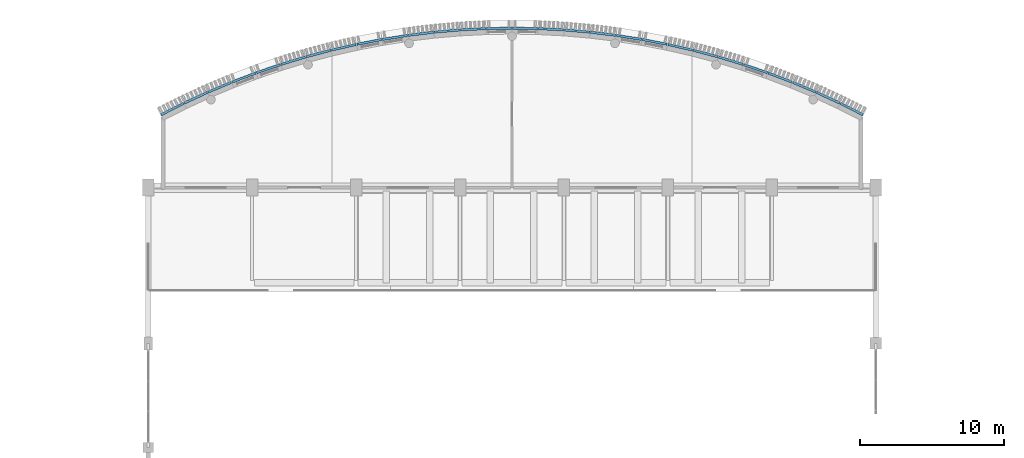
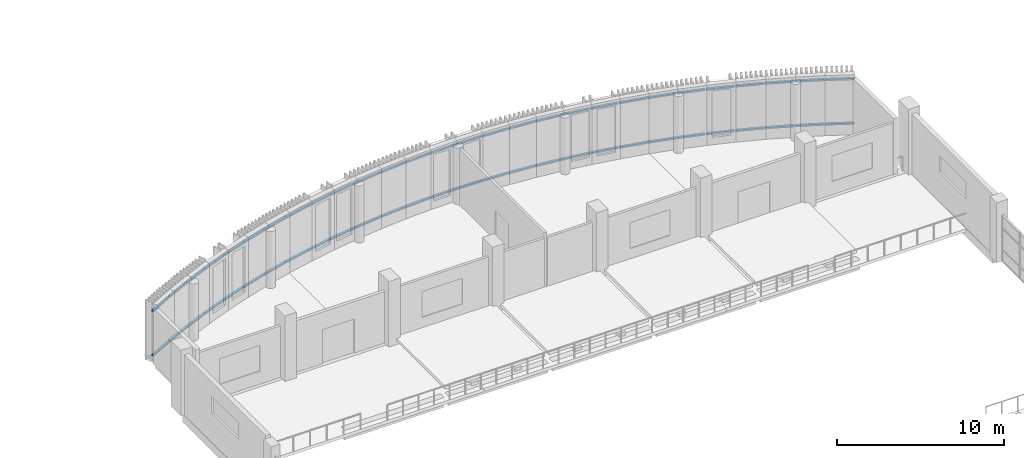
# One storey, part 55 of 71: 56 discrete accessories.
"""IFC4 building model written with IfcOpenShell, lengths in metres."""

from ifc_helpers import new_model, si_unit, direction, frame, origin, place, context, subcontext, project, spatial, rectangle, extrude, material, type_object, element, save


model = new_model("IFC4")

# Units and contexts
model_context = context("Model", 3, precision=1e-05, world=origin(), true_north=direction((0.0, 1.0)))
body_context = subcontext(model_context, "Body", "Model", "MODEL_VIEW")
ifc_project = project(units=[si_unit("LENGTHUNIT", "METRE"), si_unit("AREAUNIT", "SQUARE_METRE"), si_unit("VOLUMEUNIT", "CUBIC_METRE"), si_unit("PLANEANGLEUNIT", "RADIAN"), si_unit("MASSUNIT", "GRAM", prefix="KILO")], contexts=[model_context])

# Site, building, storey
site_placement = place(None, origin())
site = spatial("IfcSite", under=ifc_project, at=site_placement, CompositionType="ELEMENT")
building_placement = place(site_placement, origin())
building = spatial("IfcBuilding", under=site, at=building_placement, Name="Sardonyx Promenade Sports Hall", CompositionType="ELEMENT")
storey_placement = place(building_placement, frame((0.0, 0.0, 16.0)))
storey = spatial("IfcBuildingStorey", under=building, at=storey_placement, Name="L03", CompositionType="ELEMENT", Elevation=16.0)

# Discrete accessories
ifc_material = material(Name="Steel S355JR", Category="steel")
discrete_accessory_type = type_object("IfcDiscreteAccessoryType", Name="Acc_Bracket_S355", PredefinedType="BRACKET", material=ifc_material)
for number, where, z_axis, x_axis, name in (
    (1, (30.469122, 109.831552, 0.51), (0.0, 0.0, 1.0), (0.89277382, 0.45050517, 0.0), "Facade outrigger bracket CH01 L03 #1"),
    (2, (30.469122, 109.831552, 3.77), (0.0, 0.0, 1.0), (0.89277382, 0.45050517, 0.0), "Facade outrigger bracket CH01 L03 #2"),
    (3, (32.097147, 110.618023, 0.51), (0.0, 0.0, 1.0), (0.90783091, 0.41933642, 0.0), "Facade outrigger bracket CH02 L03 #1"),
    (4, (32.097147, 110.618023, 3.77), (0.0, 0.0, 1.0), (0.90783091, 0.41933642, 0.0), "Facade outrigger bracket CH02 L03 #2"),
    (5, (33.751417, 111.347677, 0.51), (0.0, 0.0, 1.0), (0.92180024, 0.38766521, 0.0), "Facade outrigger bracket CH03 L03 #1"),
    (6, (33.751417, 111.347677, 3.77), (0.0, 0.0, 1.0), (0.92180024, 0.38766521, 0.0), "Facade outrigger bracket CH03 L03 #2"),
    (7, (35.429949, 112.019638, 0.51), (0.0, 0.0, 1.0), (0.93466568, 0.35552787, 0.0), "Facade outrigger bracket CH04 L03 #1"),
    (8, (35.429949, 112.019638, 3.77), (0.0, 0.0, 1.0), (0.93466568, 0.35552787, 0.0), "Facade outrigger bracket CH04 L03 #2"),
    (9, (37.130732, 112.633102, 0.51), (0.0, 0.0, 1.0), (0.94641052, 0.32296615, 0.0), "Facade outrigger bracket CH05 L03 #1"),
    (10, (37.130732, 112.633102, 3.77), (0.0, 0.0, 1.0), (0.94641052, 0.32296615, 0.0), "Facade outrigger bracket CH05 L03 #2"),
    (11, (38.851728, 113.187335, 0.51), (0.0, 0.0, 1.0), (0.95702136, 0.29001744, 0.0), "Facade outrigger bracket CH06 L03 #1"),
    (12, (38.851728, 113.187335, 3.77), (0.0, 0.0, 1.0), (0.95702136, 0.29001744, 0.0), "Facade outrigger bracket CH06 L03 #2"),
    (13, (40.590875, 113.681672, 0.51), (0.0, 0.0, 1.0), (0.96648549, 0.25672123, 0.0), "Facade outrigger bracket CH07 L03 #1"),
    (14, (40.590875, 113.681672, 3.77), (0.0, 0.0, 1.0), (0.96648549, 0.25672123, 0.0), "Facade outrigger bracket CH07 L03 #2"),
    (15, (42.346089, 114.11552, 0.51), (0.0, 0.0, 1.0), (0.97479158, 0.22311741, 0.0), "Facade outrigger bracket CH08 L03 #1"),
    (16, (42.346089, 114.11552, 3.77), (0.0, 0.0, 1.0), (0.97479158, 0.22311741, 0.0), "Facade outrigger bracket CH08 L03 #2"),
    (17, (44.115267, 114.488361, 0.51), (0.0, 0.0, 1.0), (0.98192966, 0.18924626, 0.0), "Facade outrigger bracket CH09 L03 #1"),
    (18, (44.115267, 114.488361, 3.77), (0.0, 0.0, 1.0), (0.98192966, 0.18924626, 0.0), "Facade outrigger bracket CH09 L03 #2"),
    (19, (45.89629, 114.799746, 0.51), (0.0, 0.0, 1.0), (0.98789118, 0.15514835, 0.0), "Facade outrigger bracket CH10 L03 #1"),
    (20, (45.89629, 114.799746, 3.77), (0.0, 0.0, 1.0), (0.98789118, 0.15514835, 0.0), "Facade outrigger bracket CH10 L03 #2"),
    (21, (47.687023, 115.049303, 0.51), (0.0, 0.0, 1.0), (0.99266922, 0.1208628, 0.0), "Facade outrigger bracket CH11 L03 #1"),
    (22, (47.687023, 115.049303, 3.77), (0.0, 0.0, 1.0), (0.99266922, 0.1208628, 0.0), "Facade outrigger bracket CH11 L03 #2"),
    (23, (49.48532, 115.236732, 0.51), (0.0, 0.0, 1.0), (0.99625756, 0.08643416, 0.0), "Facade outrigger bracket CH12 L03 #1"),
    (24, (49.48532, 115.236732, 3.77), (0.0, 0.0, 1.0), (0.99625756, 0.08643416, 0.0), "Facade outrigger bracket CH12 L03 #2"),
    (25, (51.289026, 115.361811, 0.51), (0.0, 0.0, 1.0), (0.99865218, 0.05190196, 0.0), "Facade outrigger bracket CH13 L03 #1"),
    (26, (51.289026, 115.361811, 3.77), (0.0, 0.0, 1.0), (0.99865218, 0.05190196, 0.0), "Facade outrigger bracket CH13 L03 #2"),
    (27, (53.095981, 115.424387, 0.51), (0.0, 0.0, 1.0), (0.99985021, 0.01730757, 0.0), "Facade outrigger bracket CH14 L03 #1"),
    (28, (53.095981, 115.424387, 3.77), (0.0, 0.0, 1.0), (0.99985021, 0.01730757, 0.0), "Facade outrigger bracket CH14 L03 #2"),
    (29, (54.904019, 115.424387, 0.51), (0.0, 0.0, 1.0), (0.99985021, -0.01730757, 0.0), "Facade outrigger bracket CH15 L03 #1"),
    (30, (54.904019, 115.424387, 3.77), (0.0, 0.0, 1.0), (0.99985021, -0.01730757, 0.0), "Facade outrigger bracket CH15 L03 #2"),
    (31, (56.710974, 115.361811, 0.51), (0.0, 0.0, 1.0), (0.99865218, -0.05190196, 0.0), "Facade outrigger bracket CH16 L03 #1"),
    (32, (56.710974, 115.361811, 3.77), (0.0, 0.0, 1.0), (0.99865218, -0.05190196, 0.0), "Facade outrigger bracket CH16 L03 #2"),
    (33, (58.51468, 115.236732, 0.51), (0.0, 0.0, 1.0), (0.99625756, -0.08643416, 0.0), "Facade outrigger bracket CH17 L03 #1"),
    (34, (58.51468, 115.236732, 3.77), (0.0, 0.0, 1.0), (0.99625756, -0.08643416, 0.0), "Facade outrigger bracket CH17 L03 #2"),
    (35, (60.312977, 115.049303, 0.51), (0.0, 0.0, 1.0), (0.99266922, -0.1208628, 0.0), "Facade outrigger bracket CH18 L03 #1"),
    (36, (60.312977, 115.049303, 3.77), (0.0, 0.0, 1.0), (0.99266922, -0.1208628, 0.0), "Facade outrigger bracket CH18 L03 #2"),
    (37, (62.10371, 114.799746, 0.51), (0.0, 0.0, 1.0), (0.98789118, -0.15514835, 0.0), "Facade outrigger bracket CH19 L03 #1"),
    (38, (62.10371, 114.799746, 3.77), (0.0, 0.0, 1.0), (0.98789118, -0.15514835, 0.0), "Facade outrigger bracket CH19 L03 #2"),
    (39, (63.884733, 114.488361, 0.51), (0.0, 0.0, 1.0), (0.98192966, -0.18924626, 0.0), "Facade outrigger bracket CH20 L03 #1"),
    (40, (63.884733, 114.488361, 3.77), (0.0, 0.0, 1.0), (0.98192966, -0.18924626, 0.0), "Facade outrigger bracket CH20 L03 #2"),
    (41, (65.653911, 114.11552, 0.51), (0.0, 0.0, 1.0), (0.97479158, -0.22311741, 0.0), "Facade outrigger bracket CH21 L03 #1"),
    (42, (65.653911, 114.11552, 3.77), (0.0, 0.0, 1.0), (0.97479158, -0.22311741, 0.0), "Facade outrigger bracket CH21 L03 #2"),
    (43, (67.409125, 113.681672, 0.51), (0.0, 0.0, 1.0), (0.96648549, -0.25672123, 0.0), "Facade outrigger bracket CH22 L03 #1"),
    (44, (67.409125, 113.681672, 3.77), (0.0, 0.0, 1.0), (0.96648549, -0.25672123, 0.0), "Facade outrigger bracket CH22 L03 #2"),
    (45, (69.148272, 113.187335, 0.51), (0.0, 0.0, 1.0), (0.95702136, -0.29001744, 0.0), "Facade outrigger bracket CH23 L03 #1"),
    (46, (69.148272, 113.187335, 3.77), (0.0, 0.0, 1.0), (0.95702136, -0.29001744, 0.0), "Facade outrigger bracket CH23 L03 #2"),
    (47, (70.869268, 112.633102, 0.51), (0.0, 0.0, 1.0), (0.94641052, -0.32296615, 0.0), "Facade outrigger bracket CH24 L03 #1"),
    (48, (70.869268, 112.633102, 3.77), (0.0, 0.0, 1.0), (0.94641052, -0.32296615, 0.0), "Facade outrigger bracket CH24 L03 #2"),
    (49, (72.570051, 112.019638, 0.51), (0.0, 0.0, 1.0), (0.93466568, -0.35552787, 0.0), "Facade outrigger bracket CH25 L03 #1"),
    (50, (72.570051, 112.019638, 3.77), (0.0, 0.0, 1.0), (0.93466568, -0.35552787, 0.0), "Facade outrigger bracket CH25 L03 #2"),
    (51, (74.248583, 111.347677, 0.51), (0.0, 0.0, 1.0), (0.92180024, -0.38766521, 0.0), "Facade outrigger bracket CH26 L03 #1"),
    (52, (74.248583, 111.347677, 3.77), (0.0, 0.0, 1.0), (0.92180024, -0.38766521, 0.0), "Facade outrigger bracket CH26 L03 #2"),
    (53, (75.902853, 110.618023, 0.51), (0.0, 0.0, 1.0), (0.90783091, -0.41933642, 0.0), "Facade outrigger bracket CH27 L03 #1"),
    (54, (75.902853, 110.618023, 3.77), (0.0, 0.0, 1.0), (0.90783091, -0.41933642, 0.0), "Facade outrigger bracket CH27 L03 #2"),
    (55, (77.530878, 109.831552, 0.51), (0.0, 0.0, 1.0), (0.89277382, -0.45050517, 0.0), "Facade outrigger bracket CH28 L03 #1"),
    (56, (77.530878, 109.831552, 3.77), (0.0, 0.0, 1.0), (0.89277382, -0.45050517, 0.0), "Facade outrigger bracket CH28 L03 #2"),
):
    element("IfcDiscreteAccessory", number, at=place(storey_placement, frame(where, z_axis=z_axis, x_axis=x_axis)), inside=storey, type_object=discrete_accessory_type, material=ifc_material, Name=name, PredefinedType="BRACKET", context=body_context, shape_type="SweptSolid", body=[
        extrude(rectangle(XDim=1.74, YDim=0.16), origin(), (0.0, 0.0, 1.0), 0.12),
    ])

save(model, "model.ifc")
